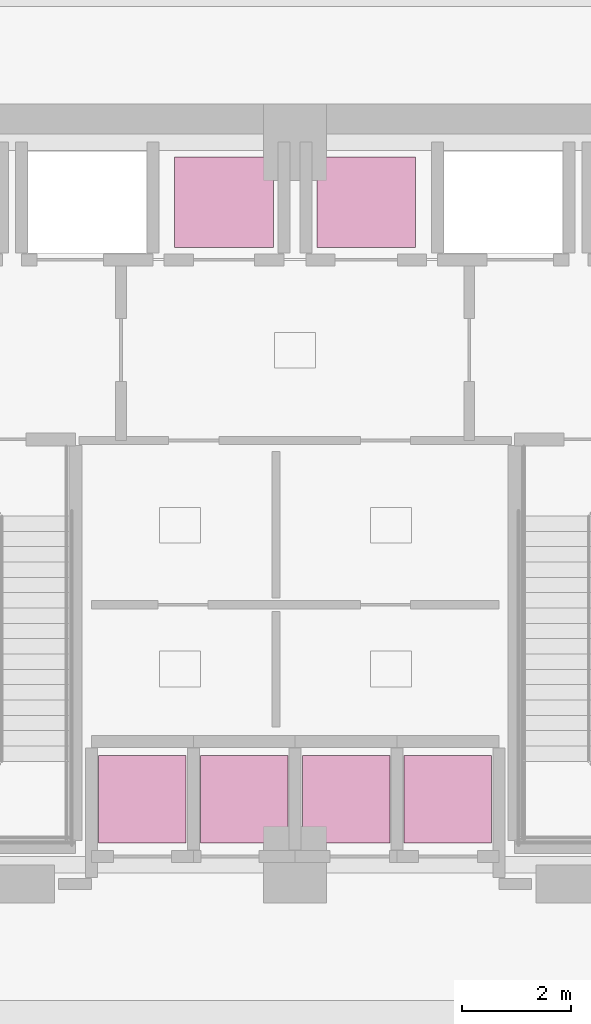
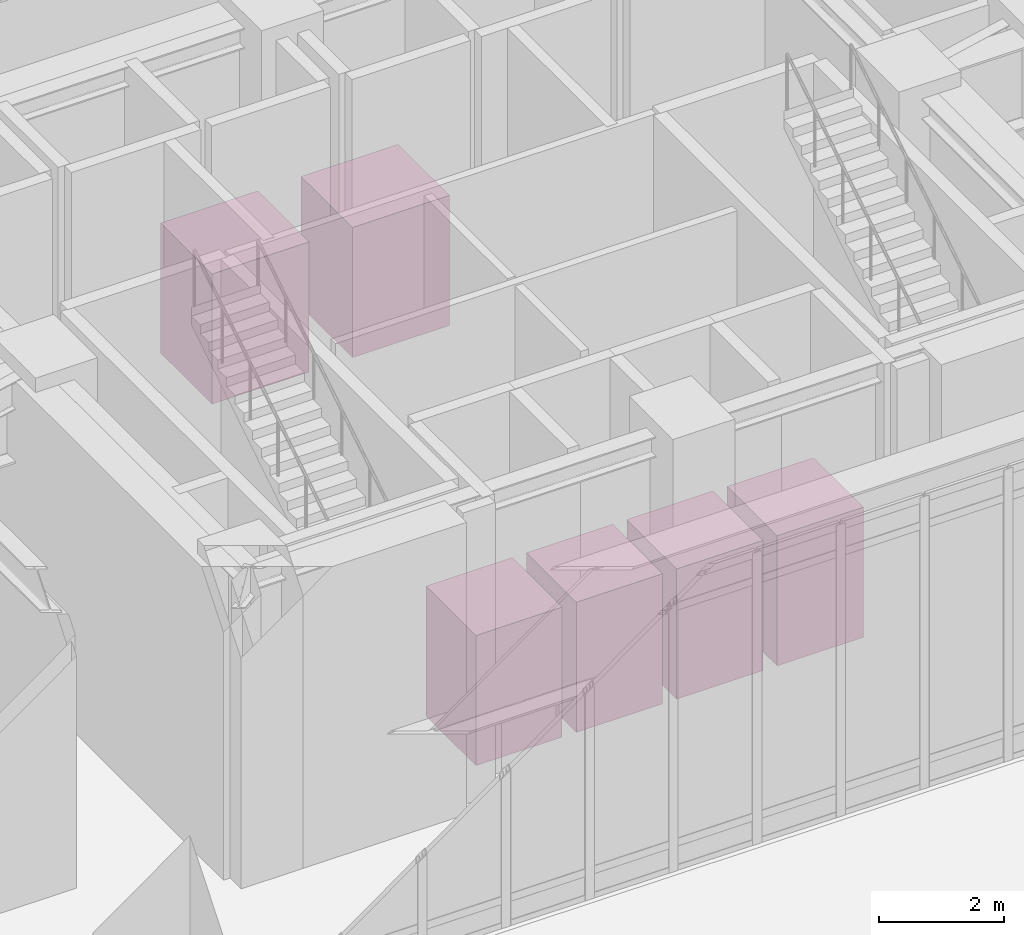
# One storey, part 27 of 27: 6 transport elements.
"""IFC4 building model written with IfcOpenShell, lengths in metres."""

from ifc_helpers import new_model, si_unit, direction, frame, origin, origin_2d, place, context, subcontext, project, spatial, rectangle, extrude, material, type_object, element, save


model = new_model("IFC4")

# Units and contexts
model_context = context("Model", 3, precision=1e-05, world=origin(), true_north=direction((0.0, 1.0)))
body_context = subcontext(model_context, "Body", "Model", "MODEL_VIEW")
ifc_project = project(units=[si_unit("LENGTHUNIT", "METRE"), si_unit("AREAUNIT", "SQUARE_METRE"), si_unit("VOLUMEUNIT", "CUBIC_METRE"), si_unit("PLANEANGLEUNIT", "RADIAN"), si_unit("MASSUNIT", "GRAM", prefix="KILO")], contexts=[model_context])

# Site, building, storey
site_placement = place(None, origin())
site = spatial("IfcSite", under=ifc_project, at=site_placement, CompositionType="ELEMENT")
building_placement = place(site_placement, origin())
building = spatial("IfcBuilding", under=site, at=building_placement, Name="Ndelora Gate Hotel", CompositionType="ELEMENT")
storey_placement = place(building_placement, origin())
storey = spatial("IfcBuildingStorey", under=building, at=storey_placement, Name="L00", CompositionType="ELEMENT", Elevation=0.0)

# Transport elements
ifc_material = material(Name="Stainless Steel and Architectural Bronze Cab", Category="steel")
transport_element_type = type_object("IfcTransportElementType", Name="LFT-PASS-1600", PredefinedType="ELEVATOR", material=ifc_material)
for number, where, z_axis, x_axis, name in (
    (1, (-2.7900390625, -5.39990234375, 0.0), (0.0, 0.0, 1.0), (1.0, 0.0, 0.0), "Elevator P1A (P1_LOW L00-L21, 1350 kg)"),
    (2, (-0.929931640625, -5.39990234375, 0.0), (0.0, 0.0, 1.0), (1.0, 0.0, 0.0), "Elevator P1B (P1_LOW L00-L21, 1350 kg)"),
    (3, (0.929931640625, -5.39990234375, 0.0), (0.0, 0.0, 1.0), (1.0, 0.0, 0.0), "Elevator P2A (P2_MID L00-L43, 1350 kg)"),
    (4, (2.7900390625, -5.39990234375, 0.0), (0.0, 0.0, 1.0), (1.0, 0.0, 0.0), "Elevator P2B (P2_MID L00-L43, 1350 kg)"),
):
    element("IfcTransportElement", number, at=place(storey_placement, frame(where, z_axis=z_axis, x_axis=x_axis)), inside=storey, type_object=transport_element_type, Name=name, PredefinedType="ELEVATOR", context=body_context, shape_type="SweptSolid", body=[
        extrude(rectangle(XDim=1.60009765625, YDim=1.60009765625, at=origin_2d()), origin(), (0.0, 0.0, 1.0), 2.550048828125),
    ])
for number, where, z_axis, x_axis, name in (
    (5, (-1.300048828125, 5.5, 0.0), (0.0, 0.0, 1.0), (1.0, 0.0, 0.0), "Elevator P3A (P3_HIGH L00-L74, 1600 kg)"),
    (6, (1.300048828125, 5.5, 0.0), (0.0, 0.0, 1.0), (1.0, 0.0, 0.0), "Elevator EX1 (P3_OBS L00-L74, 1600 kg)"),
):
    element("IfcTransportElement", number, at=place(storey_placement, frame(where, z_axis=z_axis, x_axis=x_axis)), inside=storey, type_object=transport_element_type, Name=name, PredefinedType="ELEVATOR", context=body_context, shape_type="SweptSolid", body=[
        extrude(rectangle(XDim=1.800048828125, YDim=1.64990234375, at=origin_2d()), origin(), (0.0, 0.0, 1.0), 2.550048828125),
    ])

save(model, "model.ifc")
